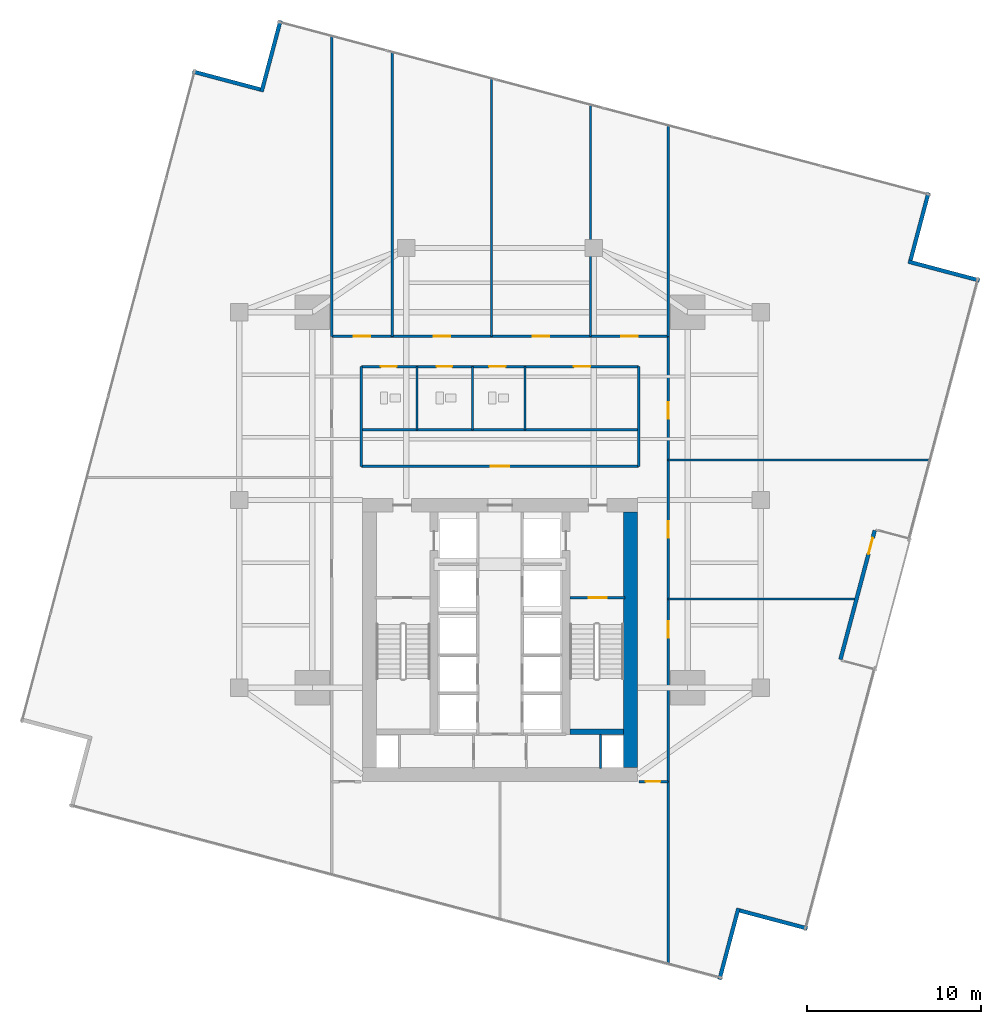
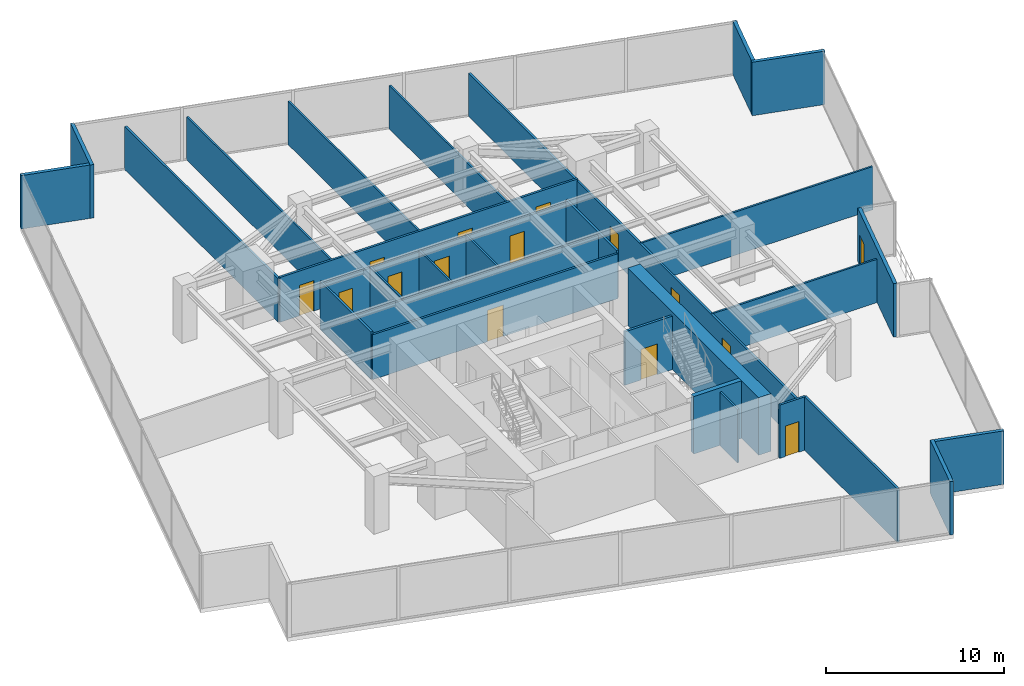
# One storey, part 24 of 27: 30 walls, 15 doors, 15 openings.
"""IFC4 building model written with IfcOpenShell, lengths in metres."""

from ifc_helpers import new_model, si_unit, direction, frame, frame_2d, origin, place, context, subcontext, project, spatial, rectangle, extrude, material, layer, layer_set, type_object, element, fill, save


model = new_model("IFC4")

# Units and contexts
model_context = context("Model", 3, precision=1e-05, world=origin(), true_north=direction((0.0, 1.0)))
body_context = subcontext(model_context, "Body", "Model", "MODEL_VIEW")
ifc_project = project(units=[si_unit("LENGTHUNIT", "METRE"), si_unit("AREAUNIT", "SQUARE_METRE"), si_unit("VOLUMEUNIT", "CUBIC_METRE"), si_unit("PLANEANGLEUNIT", "RADIAN"), si_unit("MASSUNIT", "GRAM", prefix="KILO")], contexts=[model_context])

# Site, building, storey
site_placement = place(None, origin())
site = spatial("IfcSite", under=ifc_project, at=site_placement, CompositionType="ELEMENT")
building_placement = place(site_placement, origin())
building = spatial("IfcBuilding", under=site, at=building_placement, Name="Krantzveldt Concourse Tower", CompositionType="ELEMENT")
storey_placement = place(building_placement, frame((0.0, 0.0, 105.85009765625)))
storey = spatial("IfcBuildingStorey", under=building, at=storey_placement, Name="L25", CompositionType="ELEMENT", Elevation=105.85009765625)

# Walls
ifc_material_1 = material(Name="Anodised aluminium 6063-T6", Category="aluminium")
ifc_layer_1 = layer(ifc_material_1, 0.219970703125, Name="Anodised aluminium 6063-T6", Category="aluminium")
ifc_layer_set_1 = layer_set([ifc_layer_1], Name="Anodised aluminium 6063-T6 (WL-EXT-NOTCH220)")
wall_type_1 = type_object("IfcWallType", Name="WL-EXT-NOTCH220", PredefinedType="ELEMENTEDWALL", material=ifc_layer_set_1)
wall_1_placement = place(storey_placement, frame((22.2021484375, 50.32373046875, 0.0), z_axis=(0.0, 0.0, 1.0), x_axis=(-0.966492181189, 0.256696053144, 0.0)))
element("IfcWall", 1, at=wall_1_placement, inside=storey, type_object=wall_type_1, Name="EW-L25-NCH00", PredefinedType="ELEMENTEDWALL", context=body_context, shape_type="SweptSolid", body=[
    extrude(rectangle(XDim=4.02490234375, YDim=0.219970703125, at=frame_2d((2.012451171875, 0.0))), origin(), (0.0, 0.0, 1.0), 3.669921875),
])
wall_2_placement = place(storey_placement, frame((48.630126953125, -0.891845703125, 0.0), z_axis=(0.0, 0.0, 1.0), x_axis=(0.256692391399, 0.966493153725, 0.0)))
element("IfcWall", 2, at=wall_2_placement, inside=storey, type_object=wall_type_1, Name="EW-L25-NCH05", PredefinedType="ELEMENTEDWALL", context=body_context, shape_type="SweptSolid", body=[
    extrude(rectangle(XDim=4.244873046875, YDim=0.219970703125, at=frame_2d((2.12255859375, 0.0))), origin(), (0.0, 0.0, 1.0), 3.669921875),
])
wall_3_placement = place(storey_placement, frame((49.7978515625, 3.076171875, 0.0), z_axis=(0.0, 0.0, 1.0), x_axis=(0.966492181189, -0.256696053144, 0.0)))
element("IfcWall", 3, at=wall_3_placement, inside=storey, type_object=wall_type_1, Name="EW-L25-NCH06", PredefinedType="ELEMENTEDWALL", context=body_context, shape_type="SweptSolid", body=[
    extrude(rectangle(XDim=4.02490234375, YDim=0.219970703125, at=frame_2d((2.012451171875, 0.0))), origin(), (0.0, 0.0, 1.0), 3.669921875),
])

# Wall, opening, door
wall_4_placement = place(storey_placement, frame((57.5634765625, 24.95068359375, 0.0), z_axis=(0.0, 0.0, 1.0), x_axis=(-0.256717978083, -0.966486357756, 0.0)))
wall_4 = element("IfcWall", 4, at=wall_4_placement, inside=storey, type_object=wall_type_1, Name="EW-L25-TSLOT", PredefinedType="ELEMENTEDWALL", context=body_context, shape_type="SweptSolid", body=[
    extrude(rectangle(XDim=7.68994140625, YDim=0.219970703125, at=frame_2d((3.844970703125, 0.0))), origin(), (0.0, 0.0, 1.0), 3.669921875),
])
opening_1_placement = place(wall_4_placement, frame((0.449951171875, 0.0, 0.0)))
opening_1 = element("IfcOpeningElement", 5, at=opening_1_placement, cuts=wall_4, Name="Opening D-EX95", PredefinedType="OPENING", context=body_context, shape_type="SweptSolid", body=[
    extrude(rectangle(XDim=0.949951171875, YDim=2.10009765625, at=frame_2d((0.47509765625, 1.050048828125))), frame((0.0, 0.1201171875, 0.0), z_axis=(0.0, -1.0, 0.0), x_axis=(1.0, 0.0, 0.0)), (0.0, 0.0, 1.0), 0.239990234375),
])
door_type_1 = type_object("IfcDoorType", Name="DR-EXT-950", OperationType="SINGLE_SWING_LEFT", PredefinedType="DOOR", material=ifc_material_1)
door_1_placement = place(opening_1_placement, origin())
door_1 = element("IfcDoor", 6, at=door_1_placement, inside=storey, type_object=door_type_1, Name="DR-L25-TERR", OperationType="SINGLE_SWING_LEFT", OverallHeight=2.10009765625, OverallWidth=0.949951171875, PredefinedType="DOOR", context=body_context, shape_type="SweptSolid", body=[
    extrude(rectangle(XDim=0.949951171875, YDim=2.10009765625, at=frame_2d((0.47509765625, 1.050048828125))), frame((0.0, 0.02490234375, 0.0), z_axis=(0.0, -1.0, 0.0), x_axis=(1.0, 0.0, 0.0)), (0.0, 0.0, 1.0), 0.050048828125),
])
fill(opening_1, door_1)

# Walls
wall_5_placement = place(storey_placement, frame((63.592041015625, 39.330078125, 0.0), z_axis=(0.0, 0.0, 1.0), x_axis=(-0.966482674278, 0.256731845164, 0.0)))
element("IfcWall", 7, at=wall_5_placement, inside=storey, type_object=wall_type_1, Name="EW-L25-NCH12", PredefinedType="ELEMENTEDWALL", context=body_context, shape_type="SweptSolid", body=[
    extrude(rectangle(XDim=4.2451171875, YDim=0.219970703125, at=frame_2d((2.12255859375, 0.0))), origin(), (0.0, 0.0, 1.0), 3.669921875),
])
wall_6_placement = place(storey_placement, frame((59.623779296875, 40.497802734375, 0.0), z_axis=(0.0, 0.0, 1.0), x_axis=(0.256696053144, 0.966492181189, 0.0)))
element("IfcWall", 8, at=wall_6_placement, inside=storey, type_object=wall_type_1, Name="EW-L25-NCH13", PredefinedType="ELEMENTEDWALL", context=body_context, shape_type="SweptSolid", body=[
    extrude(rectangle(XDim=4.02490234375, YDim=0.219970703125, at=frame_2d((2.012451171875, 0.0))), origin(), (0.0, 0.0, 1.0), 3.669921875),
])
wall_7_placement = place(storey_placement, frame((23.369873046875, 54.2919921875, 0.0), z_axis=(0.0, 0.0, 1.0), x_axis=(-0.256678123022, -0.966496943173, 0.0)))
element("IfcWall", 9, at=wall_7_placement, inside=storey, type_object=wall_type_1, Name="EW-L25-NCH15", PredefinedType="ELEMENTEDWALL", context=body_context, shape_type="SweptSolid", body=[
    extrude(rectangle(XDim=4.2451171875, YDim=0.219970703125, at=frame_2d((2.12255859375, 0.0))), origin(), (0.0, 0.0, 1.0), 3.669921875),
])
ifc_material_2 = material(Name="Fire-rated gypsum plasterboard on steel stud", Category="steel")
ifc_layer_2 = layer(ifc_material_2, 0.1201171875, Name="Fire-rated gypsum plasterboard on steel stud", Category="steel")
ifc_layer_set_2 = layer_set([ifc_layer_2], Name="Fire-rated gypsum plasterboard on steel stud (WL-PART-120)")
wall_type_2 = type_object("IfcWallType", Name="WL-PART-120", PredefinedType="PARTITIONING", material=ifc_layer_set_2)
wall_8_placement = place(storey_placement, frame((28.02001953125, 30.739990234375, 0.0), z_axis=(0.0, 0.0, 1.0), x_axis=(1.0, 0.0, 0.0)))
element("IfcWall", 10, at=wall_8_placement, inside=storey, type_object=wall_type_2, Name="WP-L25-ISLM", PredefinedType="PARTITIONING", context=body_context, shape_type="SweptSolid", body=[
    extrude(rectangle(XDim=15.9599609375, YDim=0.1201171875, at=frame_2d((7.97998046875, 0.0))), origin(), (0.0, 0.0, 1.0), 3.079833984375),
])
for number, where, z_axis, x_axis, name in (
    (11, (31.219970703125, 30.739990234375, 0.0), (0.0, 0.0, 1.0), (0.0, 1.0, 0.0), "WP-L25-WCD1"),
    (12, (34.419921875, 30.739990234375, 0.0), (0.0, 0.0, 1.0), (0.0, 1.0, 0.0), "WP-L25-WCD2"),
    (13, (37.449951171875, 30.739990234375, 0.0), (0.0, 0.0, 1.0), (0.0, 1.0, 0.0), "WP-L25-WCD3"),
):
    element("IfcWall", number, at=place(storey_placement, frame(where, z_axis=z_axis, x_axis=x_axis)), inside=storey, type_object=wall_type_2, Name=name, PredefinedType="PARTITIONING", context=body_context, shape_type="SweptSolid", body=[
        extrude(rectangle(XDim=3.639892578125, YDim=0.1201171875, at=frame_2d((1.81982421875, 0.0))), origin(), (0.0, 0.0, 1.0), 3.169921875),
    ])
wall_9_placement = place(storey_placement, frame((29.800048828125, 36.1201171875, 0.0), z_axis=(0.0, 0.0, 1.0), x_axis=(0.0, 1.0, 0.0)))
element("IfcWall", 14, at=wall_9_placement, inside=storey, type_object=wall_type_2, Name="WP-L25-ND1", PredefinedType="PARTITIONING", context=body_context, shape_type="SweptSolid", body=[
    extrude(rectangle(XDim=16.344970703125, YDim=0.1201171875, at=frame_2d((8.17236328125, 0.0))), origin(), (0.0, 0.0, 1.0), 2.969970703125),
])
wall_10_placement = place(storey_placement, frame((35.5, 36.1201171875, 0.0), z_axis=(0.0, 0.0, 1.0), x_axis=(0.0, 1.0, 0.0)))
element("IfcWall", 15, at=wall_10_placement, inside=storey, type_object=wall_type_2, Name="WP-L25-ND2", PredefinedType="PARTITIONING", context=body_context, shape_type="SweptSolid", body=[
    extrude(rectangle(XDim=14.8310546875, YDim=0.1201171875, at=frame_2d((7.41552734375, 0.0))), origin(), (0.0, 0.0, 1.0), 2.969970703125),
])
wall_11_placement = place(storey_placement, frame((41.199951171875, 36.1201171875, 0.0), z_axis=(0.0, 0.0, 1.0), x_axis=(0.0, 1.0, 0.0)))
element("IfcWall", 16, at=wall_11_placement, inside=storey, type_object=wall_type_2, Name="WP-L25-ND3", PredefinedType="PARTITIONING", context=body_context, shape_type="SweptSolid", body=[
    extrude(rectangle(XDim=13.31689453125, YDim=0.1201171875, at=frame_2d((6.658447265625, 0.0))), origin(), (0.0, 0.0, 1.0), 2.969970703125),
])
wall_12_placement = place(storey_placement, frame((45.679931640625, 21.0, 0.0), z_axis=(0.0, 0.0, 1.0), x_axis=(1.0, 0.0, 0.0)))
element("IfcWall", 17, at=wall_12_placement, inside=storey, type_object=wall_type_2, Name="WP-L25-ED1", PredefinedType="PARTITIONING", context=body_context, shape_type="SweptSolid", body=[
    extrude(rectangle(XDim=10.71533203125, YDim=0.1201171875, at=frame_2d((5.357666015625, 0.0))), origin(), (0.0, 0.0, 1.0), 2.969970703125),
])
wall_13_placement = place(storey_placement, frame((45.679931640625, 29.0, 0.0), z_axis=(0.0, 0.0, 1.0), x_axis=(1.0, 0.0, 0.0)))
element("IfcWall", 18, at=wall_13_placement, inside=storey, type_object=wall_type_2, Name="WP-L25-ED2", PredefinedType="PARTITIONING", context=body_context, shape_type="SweptSolid", body=[
    extrude(rectangle(XDim=15.04931640625, YDim=0.1201171875, at=frame_2d((7.524658203125, 0.0))), origin(), (0.0, 0.0, 1.0), 2.969970703125),
])

# Wall, opening, door
ifc_layer_3 = layer(ifc_material_2, 0.139892578125, Name="Fire-rated gypsum plasterboard on steel stud", Category="steel")
ifc_layer_set_3 = layer_set([ifc_layer_3], Name="Fire-rated gypsum plasterboard on steel stud (WL-PART-140)")
wall_type_3 = type_object("IfcWallType", Name="WL-PART-140", PredefinedType="PARTITIONING", material=ifc_layer_set_3)
wall_14_placement = place(storey_placement, frame((28.02001953125, 28.639892578125, 0.0), z_axis=(0.0, 0.0, 1.0), x_axis=(1.0, 0.0, 0.0)))
wall_14 = element("IfcWall", 19, at=wall_14_placement, inside=storey, type_object=wall_type_3, Name="WP-L25-ISLS", PredefinedType="PARTITIONING", context=body_context, shape_type="SweptSolid", body=[
    extrude(rectangle(XDim=15.9599609375, YDim=0.139892578125, at=frame_2d((7.97998046875, 0.0))), origin(), (0.0, 0.0, 1.0), 3.079833984375),
])
opening_2_placement = place(wall_14_placement, frame((7.455078125, 0.0, 0.0)))
opening_2 = element("IfcOpeningElement", 20, at=opening_2_placement, cuts=wall_14, Name="Opening D-IN105", PredefinedType="OPENING", context=body_context, shape_type="SweptSolid", body=[
    extrude(rectangle(XDim=1.050048828125, YDim=2.14990234375, at=frame_2d((0.52490234375, 1.074951171875))), frame((0.0, 0.080078125, 0.0), z_axis=(0.0, -1.0, 0.0), x_axis=(1.0, 0.0, 0.0)), (0.0, 0.0, 1.0), 0.159912109375),
])
ifc_material_3 = material(Name="Hardwood timber", Category="wood")
door_type_2 = type_object("IfcDoorType", Name="DR-INT-1050", OperationType="SINGLE_SWING_LEFT", PredefinedType="DOOR", material=ifc_material_3)
door_2_placement = place(opening_2_placement, origin())
door_2 = element("IfcDoor", 21, at=door_2_placement, inside=storey, type_object=door_type_2, Name="DR-L25-MIDB", OperationType="SINGLE_SWING_LEFT", OverallHeight=2.14990234375, OverallWidth=1.050048828125, PredefinedType="DOOR", context=body_context, shape_type="SweptSolid", body=[
    extrude(rectangle(XDim=1.050048828125, YDim=2.14990234375, at=frame_2d((0.52490234375, 1.074951171875))), frame((0.0, 0.02490234375, 0.0), z_axis=(0.0, -1.0, 0.0), x_axis=(1.0, 0.0, 0.0)), (0.0, 0.0, 1.0), 0.050048828125),
])
fill(opening_2, door_2)

# Wall, openings, doors
wall_15_placement = place(storey_placement, frame((28.02001953125, 34.3798828125, 0.0), z_axis=(0.0, 0.0, 1.0), x_axis=(1.0, 0.0, 0.0)))
wall_15 = element("IfcWall", 22, at=wall_15_placement, inside=storey, type_object=wall_type_3, Name="WP-L25-ISLN", PredefinedType="PARTITIONING", context=body_context, shape_type="SweptSolid", body=[
    extrude(rectangle(XDim=15.9599609375, YDim=0.139892578125, at=frame_2d((7.97998046875, 0.0))), origin(), (0.0, 0.0, 1.0), 3.079833984375),
])
opening_3_placement = place(wall_15_placement, frame((1.1298828125, 0.0, 0.0)))
opening_3 = element("IfcOpeningElement", 23, at=opening_3_placement, cuts=wall_15, Name="Opening D-IN090", PredefinedType="OPENING", context=body_context, shape_type="SweptSolid", body=[
    extrude(rectangle(XDim=0.89990234375, YDim=2.10009765625, at=frame_2d((0.449951171875, 1.050048828125))), frame((0.0, 0.080078125, 0.0), z_axis=(0.0, -1.0, 0.0), x_axis=(1.0, 0.0, 0.0)), (0.0, 0.0, 1.0), 0.159912109375),
])
opening_4_placement = place(wall_15_placement, frame((4.330078125, 0.0, 0.0)))
opening_4 = element("IfcOpeningElement", 24, at=opening_4_placement, cuts=wall_15, Name="Opening D-IN090", PredefinedType="OPENING", context=body_context, shape_type="SweptSolid", body=[
    extrude(rectangle(XDim=0.89990234375, YDim=2.10009765625, at=frame_2d((0.449951171875, 1.050048828125))), frame((0.0, 0.080078125, 0.0), z_axis=(0.0, -1.0, 0.0), x_axis=(1.0, 0.0, 0.0)), (0.0, 0.0, 1.0), 0.159912109375),
])
opening_5_placement = place(wall_15_placement, frame((7.35498046875, 0.0, 0.0)))
opening_5 = element("IfcOpeningElement", 25, at=opening_5_placement, cuts=wall_15, Name="Opening D-IN095", PredefinedType="OPENING", context=body_context, shape_type="SweptSolid", body=[
    extrude(rectangle(XDim=0.949951171875, YDim=2.10009765625, at=frame_2d((0.47509765625, 1.050048828125))), frame((0.0, 0.080078125, 0.0), z_axis=(0.0, -1.0, 0.0), x_axis=(1.0, 0.0, 0.0)), (0.0, 0.0, 1.0), 0.159912109375),
])
opening_6_placement = place(wall_15_placement, frame((12.22998046875, 0.0, 0.0)))
opening_6 = element("IfcOpeningElement", 26, at=opening_6_placement, cuts=wall_15, Name="Opening D-IN095", PredefinedType="OPENING", context=body_context, shape_type="SweptSolid", body=[
    extrude(rectangle(XDim=0.949951171875, YDim=2.10009765625, at=frame_2d((0.47509765625, 1.050048828125))), frame((0.0, 0.080078125, 0.0), z_axis=(0.0, -1.0, 0.0), x_axis=(1.0, 0.0, 0.0)), (0.0, 0.0, 1.0), 0.159912109375),
])
door_type_3 = type_object("IfcDoorType", Name="DR-INT-900", OperationType="SINGLE_SWING_LEFT", PredefinedType="DOOR", material=ifc_material_3)
door_3_placement = place(opening_3_placement, origin())
door_3 = element("IfcDoor", 27, at=door_3_placement, inside=storey, type_object=door_type_3, Name="DR-L25-WCM", OperationType="SINGLE_SWING_LEFT", OverallHeight=2.10009765625, OverallWidth=0.89990234375, PredefinedType="DOOR", context=body_context, shape_type="SweptSolid", body=[
    extrude(rectangle(XDim=0.89990234375, YDim=2.10009765625, at=frame_2d((0.449951171875, 1.050048828125))), frame((0.0, 0.02490234375, 0.0), z_axis=(0.0, -1.0, 0.0), x_axis=(1.0, 0.0, 0.0)), (0.0, 0.0, 1.0), 0.050048828125),
])
fill(opening_3, door_3)
door_4_placement = place(opening_4_placement, origin())
door_4 = element("IfcDoor", 28, at=door_4_placement, inside=storey, type_object=door_type_3, Name="DR-L25-WCF", OperationType="SINGLE_SWING_RIGHT", OverallHeight=2.10009765625, OverallWidth=0.89990234375, PredefinedType="DOOR", context=body_context, shape_type="SweptSolid", body=[
    extrude(rectangle(XDim=0.89990234375, YDim=2.10009765625, at=frame_2d((0.449951171875, 1.050048828125))), frame((0.0, 0.02490234375, 0.0), z_axis=(0.0, -1.0, 0.0), x_axis=(1.0, 0.0, 0.0)), (0.0, 0.0, 1.0), 0.050048828125),
])
fill(opening_4, door_4)
door_type_4 = type_object("IfcDoorType", Name="DR-INT-950", OperationType="SINGLE_SWING_LEFT", PredefinedType="DOOR", material=ifc_material_3)
door_5_placement = place(opening_5_placement, origin())
door_5 = element("IfcDoor", 29, at=door_5_placement, inside=storey, type_object=door_type_4, Name="DR-L25-WCA", OperationType="SINGLE_SWING_LEFT", OverallHeight=2.10009765625, OverallWidth=0.949951171875, PredefinedType="DOOR", context=body_context, shape_type="SweptSolid", body=[
    extrude(rectangle(XDim=0.949951171875, YDim=2.10009765625, at=frame_2d((0.47509765625, 1.050048828125))), frame((0.0, 0.02490234375, 0.0), z_axis=(0.0, -1.0, 0.0), x_axis=(1.0, 0.0, 0.0)), (0.0, 0.0, 1.0), 0.050048828125),
])
fill(opening_5, door_5)
door_6_placement = place(opening_6_placement, origin())
door_6 = element("IfcDoor", 30, at=door_6_placement, inside=storey, type_object=door_type_4, Name="DR-L25-PNT", OperationType="SINGLE_SWING_RIGHT", OverallHeight=2.10009765625, OverallWidth=0.949951171875, PredefinedType="DOOR", context=body_context, shape_type="SweptSolid", body=[
    extrude(rectangle(XDim=0.949951171875, YDim=2.10009765625, at=frame_2d((0.47509765625, 1.050048828125))), frame((0.0, 0.02490234375, 0.0), z_axis=(0.0, -1.0, 0.0), x_axis=(1.0, 0.0, 0.0)), (0.0, 0.0, 1.0), 0.050048828125),
])
fill(opening_6, door_6)

# Walls
for number, where, z_axis, x_axis, name in (
    (31, (28.02001953125, 28.639892578125, 0.0), (0.0, 0.0, 1.0), (0.0, 1.0, 0.0), "WP-L25-ISLW"),
    (32, (43.97998046875, 28.639892578125, 0.0), (0.0, 0.0, 1.0), (0.0, 1.0, 0.0), "WP-L25-ISLE"),
):
    element("IfcWall", number, at=place(storey_placement, frame(where, z_axis=z_axis, x_axis=x_axis)), inside=storey, type_object=wall_type_3, Name=name, PredefinedType="PARTITIONING", context=body_context, shape_type="SweptSolid", body=[
        extrude(rectangle(XDim=5.739990234375, YDim=0.139892578125, at=frame_2d((2.8701171875, 0.0))), origin(), (0.0, 0.0, 1.0), 3.27001953125),
    ])

# Wall, openings, doors
wall_16_placement = place(storey_placement, frame((26.320068359375, 36.1201171875, 0.0), z_axis=(0.0, 0.0, 1.0), x_axis=(1.0, 0.0, 0.0)))
wall_16 = element("IfcWall", 33, at=wall_16_placement, inside=storey, type_object=wall_type_3, Name="WP-L25-CTOP", PredefinedType="PARTITIONING", context=body_context, shape_type="SweptSolid", body=[
    extrude(rectangle(XDim=19.35986328125, YDim=0.139892578125, at=frame_2d((9.679931640625, 0.0))), origin(), (0.0, 0.0, 1.0), 3.079833984375),
])
opening_7_placement = place(wall_16_placement, frame((1.264892578125, 0.0, 0.0)))
opening_7 = element("IfcOpeningElement", 34, at=opening_7_placement, cuts=wall_16, Name="Opening D-IN095", PredefinedType="OPENING", context=body_context, shape_type="SweptSolid", body=[
    extrude(rectangle(XDim=0.949951171875, YDim=2.10009765625, at=frame_2d((0.47509765625, 1.050048828125))), frame((0.0, 0.080078125, 0.0), z_axis=(0.0, -1.0, 0.0), x_axis=(1.0, 0.0, 0.0)), (0.0, 0.0, 1.0), 0.159912109375),
])
opening_8_placement = place(wall_16_placement, frame((5.85498046875, 0.0, 0.0)))
opening_8 = element("IfcOpeningElement", 35, at=opening_8_placement, cuts=wall_16, Name="Opening D-IN095", PredefinedType="OPENING", context=body_context, shape_type="SweptSolid", body=[
    extrude(rectangle(XDim=0.949951171875, YDim=2.10009765625, at=frame_2d((0.47509765625, 1.050048828125))), frame((0.0, 0.080078125, 0.0), z_axis=(0.0, -1.0, 0.0), x_axis=(1.0, 0.0, 0.0)), (0.0, 0.0, 1.0), 0.159912109375),
])
opening_9_placement = place(wall_16_placement, frame((11.554931640625, 0.0, 0.0)))
opening_9 = element("IfcOpeningElement", 36, at=opening_9_placement, cuts=wall_16, Name="Opening D-IN095", PredefinedType="OPENING", context=body_context, shape_type="SweptSolid", body=[
    extrude(rectangle(XDim=0.949951171875, YDim=2.10009765625, at=frame_2d((0.47509765625, 1.050048828125))), frame((0.0, 0.080078125, 0.0), z_axis=(0.0, -1.0, 0.0), x_axis=(1.0, 0.0, 0.0)), (0.0, 0.0, 1.0), 0.159912109375),
])
opening_10_placement = place(wall_16_placement, frame((16.64501953125, 0.0, 0.0)))
opening_10 = element("IfcOpeningElement", 37, at=opening_10_placement, cuts=wall_16, Name="Opening D-IN095", PredefinedType="OPENING", context=body_context, shape_type="SweptSolid", body=[
    extrude(rectangle(XDim=0.949951171875, YDim=2.10009765625, at=frame_2d((0.47509765625, 1.050048828125))), frame((0.0, 0.080078125, 0.0), z_axis=(0.0, -1.0, 0.0), x_axis=(1.0, 0.0, 0.0)), (0.0, 0.0, 1.0), 0.159912109375),
])
door_7_placement = place(opening_7_placement, origin())
door_7 = element("IfcDoor", 38, at=door_7_placement, inside=storey, type_object=door_type_4, Name="DR-L25-NR1", OperationType="SINGLE_SWING_LEFT", OverallHeight=2.10009765625, OverallWidth=0.949951171875, PredefinedType="DOOR", context=body_context, shape_type="SweptSolid", body=[
    extrude(rectangle(XDim=0.949951171875, YDim=2.10009765625, at=frame_2d((0.47509765625, 1.050048828125))), frame((0.0, 0.02490234375, 0.0), z_axis=(0.0, -1.0, 0.0), x_axis=(1.0, 0.0, 0.0)), (0.0, 0.0, 1.0), 0.050048828125),
])
fill(opening_7, door_7)
door_8_placement = place(opening_8_placement, origin())
door_8 = element("IfcDoor", 39, at=door_8_placement, inside=storey, type_object=door_type_4, Name="DR-L25-NR2", OperationType="SINGLE_SWING_LEFT", OverallHeight=2.10009765625, OverallWidth=0.949951171875, PredefinedType="DOOR", context=body_context, shape_type="SweptSolid", body=[
    extrude(rectangle(XDim=0.949951171875, YDim=2.10009765625, at=frame_2d((0.47509765625, 1.050048828125))), frame((0.0, 0.02490234375, 0.0), z_axis=(0.0, -1.0, 0.0), x_axis=(1.0, 0.0, 0.0)), (0.0, 0.0, 1.0), 0.050048828125),
])
fill(opening_8, door_8)
door_9_placement = place(opening_9_placement, origin())
door_9 = element("IfcDoor", 40, at=door_9_placement, inside=storey, type_object=door_type_4, Name="DR-L25-NR3", OperationType="SINGLE_SWING_LEFT", OverallHeight=2.10009765625, OverallWidth=0.949951171875, PredefinedType="DOOR", context=body_context, shape_type="SweptSolid", body=[
    extrude(rectangle(XDim=0.949951171875, YDim=2.10009765625, at=frame_2d((0.47509765625, 1.050048828125))), frame((0.0, 0.02490234375, 0.0), z_axis=(0.0, -1.0, 0.0), x_axis=(1.0, 0.0, 0.0)), (0.0, 0.0, 1.0), 0.050048828125),
])
fill(opening_9, door_9)
door_10_placement = place(opening_10_placement, origin())
door_10 = element("IfcDoor", 41, at=door_10_placement, inside=storey, type_object=door_type_4, Name="DR-L25-NR4", OperationType="SINGLE_SWING_LEFT", OverallHeight=2.10009765625, OverallWidth=0.949951171875, PredefinedType="DOOR", context=body_context, shape_type="SweptSolid", body=[
    extrude(rectangle(XDim=0.949951171875, YDim=2.10009765625, at=frame_2d((0.47509765625, 1.050048828125))), frame((0.0, 0.02490234375, 0.0), z_axis=(0.0, -1.0, 0.0), x_axis=(1.0, 0.0, 0.0)), (0.0, 0.0, 1.0), 0.050048828125),
])
fill(opening_10, door_10)

wall_17_placement = place(storey_placement, frame((45.679931640625, 10.5, 0.0), z_axis=(0.0, 0.0, 1.0), x_axis=(0.0, 1.0, 0.0)))
wall_17 = element("IfcWall", 42, at=wall_17_placement, inside=storey, type_object=wall_type_3, Name="WP-L25-CEAST", PredefinedType="PARTITIONING", context=body_context, shape_type="SweptSolid", body=[
    extrude(rectangle(XDim=25.6201171875, YDim=0.139892578125, at=frame_2d((12.81005859375, 0.0))), origin(), (0.0, 0.0, 1.0), 2.969970703125),
])
opening_11_placement = place(wall_17_placement, frame((8.27490234375, 0.0, 0.0)))
opening_11 = element("IfcOpeningElement", 43, at=opening_11_placement, cuts=wall_17, Name="Opening D-IN095", PredefinedType="OPENING", context=body_context, shape_type="SweptSolid", body=[
    extrude(rectangle(XDim=0.949951171875, YDim=2.10009765625, at=frame_2d((0.47509765625, 1.050048828125))), frame((0.0, 0.080078125, 0.0), z_axis=(0.0, -1.0, 0.0), x_axis=(1.0, 0.0, 0.0)), (0.0, 0.0, 1.0), 0.159912109375),
])
opening_12_placement = place(wall_17_placement, frame((14.02490234375, 0.0, 0.0)))
opening_12 = element("IfcOpeningElement", 44, at=opening_12_placement, cuts=wall_17, Name="Opening D-IN095", PredefinedType="OPENING", context=body_context, shape_type="SweptSolid", body=[
    extrude(rectangle(XDim=0.949951171875, YDim=2.10009765625, at=frame_2d((0.47509765625, 1.050048828125))), frame((0.0, 0.080078125, 0.0), z_axis=(0.0, -1.0, 0.0), x_axis=(1.0, 0.0, 0.0)), (0.0, 0.0, 1.0), 0.159912109375),
])
opening_13_placement = place(wall_17_placement, frame((20.875, 0.0, 0.0)))
opening_13 = element("IfcOpeningElement", 45, at=opening_13_placement, cuts=wall_17, Name="Opening D-IN095", PredefinedType="OPENING", context=body_context, shape_type="SweptSolid", body=[
    extrude(rectangle(XDim=0.949951171875, YDim=2.10009765625, at=frame_2d((0.47509765625, 1.050048828125))), frame((0.0, 0.080078125, 0.0), z_axis=(0.0, -1.0, 0.0), x_axis=(1.0, 0.0, 0.0)), (0.0, 0.0, 1.0), 0.159912109375),
])
door_11_placement = place(opening_11_placement, origin())
door_11 = element("IfcDoor", 46, at=door_11_placement, inside=storey, type_object=door_type_4, Name="DR-L25-ER1", OperationType="SINGLE_SWING_LEFT", OverallHeight=2.10009765625, OverallWidth=0.949951171875, PredefinedType="DOOR", context=body_context, shape_type="SweptSolid", body=[
    extrude(rectangle(XDim=0.949951171875, YDim=2.10009765625, at=frame_2d((0.47509765625, 1.050048828125))), frame((0.0, 0.02490234375, 0.0), z_axis=(0.0, -1.0, 0.0), x_axis=(1.0, 0.0, 0.0)), (0.0, 0.0, 1.0), 0.050048828125),
])
fill(opening_11, door_11)
door_12_placement = place(opening_12_placement, origin())
door_12 = element("IfcDoor", 47, at=door_12_placement, inside=storey, type_object=door_type_4, Name="DR-L25-ER2", OperationType="SINGLE_SWING_LEFT", OverallHeight=2.10009765625, OverallWidth=0.949951171875, PredefinedType="DOOR", context=body_context, shape_type="SweptSolid", body=[
    extrude(rectangle(XDim=0.949951171875, YDim=2.10009765625, at=frame_2d((0.47509765625, 1.050048828125))), frame((0.0, 0.02490234375, 0.0), z_axis=(0.0, -1.0, 0.0), x_axis=(1.0, 0.0, 0.0)), (0.0, 0.0, 1.0), 0.050048828125),
])
fill(opening_12, door_12)
door_13_placement = place(opening_13_placement, origin())
door_13 = element("IfcDoor", 48, at=door_13_placement, inside=storey, type_object=door_type_4, Name="DR-L25-ER3", OperationType="SINGLE_SWING_LEFT", OverallHeight=2.10009765625, OverallWidth=0.949951171875, PredefinedType="DOOR", context=body_context, shape_type="SweptSolid", body=[
    extrude(rectangle(XDim=0.949951171875, YDim=2.10009765625, at=frame_2d((0.47509765625, 1.050048828125))), frame((0.0, 0.02490234375, 0.0), z_axis=(0.0, -1.0, 0.0), x_axis=(1.0, 0.0, 0.0)), (0.0, 0.0, 1.0), 0.050048828125),
])
fill(opening_13, door_13)

# Wall, opening, door
wall_18_placement = place(storey_placement, frame((44.0, 10.5, 0.0), z_axis=(0.0, 0.0, 1.0), x_axis=(1.0, 0.0, 0.0)))
wall_18 = element("IfcWall", 49, at=wall_18_placement, inside=storey, type_object=wall_type_3, Name="WP-L25-CEBOT", PredefinedType="PARTITIONING", context=body_context, shape_type="SweptSolid", body=[
    extrude(rectangle(XDim=1.679931640625, YDim=0.139892578125, at=frame_2d((0.83984375, 0.0))), origin(), (0.0, 0.0, 1.0), 3.669921875),
])
opening_14_placement = place(wall_18_placement, frame((0.385009765625, 0.0, 0.0)))
opening_14 = element("IfcOpeningElement", 50, at=opening_14_placement, cuts=wall_18, Name="Opening D-IN085", PredefinedType="OPENING", context=body_context, shape_type="SweptSolid", body=[
    extrude(rectangle(XDim=0.85009765625, YDim=2.10009765625, at=frame_2d((0.425048828125, 1.050048828125))), frame((0.0, 0.080078125, 0.0), z_axis=(0.0, -1.0, 0.0), x_axis=(1.0, 0.0, 0.0)), (0.0, 0.0, 1.0), 0.159912109375),
])
door_type_5 = type_object("IfcDoorType", Name="DR-INT-850", OperationType="SINGLE_SWING_LEFT", PredefinedType="DOOR", material=ifc_material_3)
door_14_placement = place(opening_14_placement, origin())
door_14 = element("IfcDoor", 51, at=door_14_placement, inside=storey, type_object=door_type_5, Name="DR-L25-SR2", OperationType="SINGLE_SWING_LEFT", OverallHeight=2.10009765625, OverallWidth=0.85009765625, PredefinedType="DOOR", context=body_context, shape_type="SweptSolid", body=[
    extrude(rectangle(XDim=0.85009765625, YDim=2.10009765625, at=frame_2d((0.425048828125, 1.050048828125))), frame((0.0, 0.02490234375, 0.0), z_axis=(0.0, -1.0, 0.0), x_axis=(1.0, 0.0, 0.0)), (0.0, 0.0, 1.0), 0.050048828125),
])
fill(opening_14, door_14)

# Walls
wall_19_placement = place(storey_placement, frame((26.320068359375, 36.1201171875, 0.0), z_axis=(0.0, 0.0, 1.0), x_axis=(0.0, 1.0, 0.0)))
element("IfcWall", 52, at=wall_19_placement, inside=storey, type_object=wall_type_3, Name="WP-L25-NWL", PredefinedType="PARTITIONING", context=body_context, shape_type="SweptSolid", body=[
    extrude(rectangle(XDim=17.269287109375, YDim=0.139892578125, at=frame_2d((8.634765625, 0.0))), origin(), (0.0, 0.0, 1.0), 2.969970703125),
])
wall_20_placement = place(storey_placement, frame((45.679931640625, 36.1201171875, 0.0), z_axis=(0.0, 0.0, 1.0), x_axis=(0.0, 1.0, 0.0)))
element("IfcWall", 53, at=wall_20_placement, inside=storey, type_object=wall_type_3, Name="WP-L25-NER", PredefinedType="PARTITIONING", context=body_context, shape_type="SweptSolid", body=[
    extrude(rectangle(XDim=12.126953125, YDim=0.139892578125, at=frame_2d((6.0634765625, 0.0))), origin(), (0.0, 0.0, 1.0), 2.969970703125),
])
wall_21_placement = place(storey_placement, frame((45.679931640625, 0.010498046875, 0.0), z_axis=(0.0, 0.0, 1.0), x_axis=(0.0, 1.0, 0.0)))
element("IfcWall", 54, at=wall_21_placement, inside=storey, type_object=wall_type_3, Name="WP-L25-SER", PredefinedType="PARTITIONING", context=body_context, shape_type="SweptSolid", body=[
    extrude(rectangle(XDim=10.489501953125, YDim=0.139892578125, at=frame_2d((5.24462890625, 0.0))), origin(), (0.0, 0.0, 1.0), 3.669921875),
])
ifc_layer_4 = layer(ifc_material_2, 0.139892578125, Name="Fire-rated gypsum plasterboard on steel stud", Category="steel")
ifc_layer_set_4 = layer_set([ifc_layer_4], Name="Fire-rated gypsum plasterboard on steel stud (WL-PART-FR140)")
wall_type_4 = type_object("IfcWallType", Name="WL-PART-FR140", PredefinedType="PARTITIONING", material=ifc_layer_set_4)
wall_22_placement = place(storey_placement, frame((41.780029296875, 11.25, 0.0), z_axis=(0.0, 0.0, 1.0), x_axis=(0.0, 1.0, 0.0)))
element("IfcWall", 55, at=wall_22_placement, inside=storey, type_object=wall_type_4, Name="WP-L25-RSE", PredefinedType="PARTITIONING", context=body_context, shape_type="SweptSolid", body=[
    extrude(rectangle(XDim=1.969970703125, YDim=0.1201171875, at=frame_2d((0.98486328125, 0.0))), origin(), (0.0, 0.0, 1.0), 3.669921875),
])

# Wall, opening, door
ifc_layer_5 = layer(ifc_material_2, 0.159912109375, Name="Fire-rated gypsum plasterboard on steel stud", Category="steel")
ifc_layer_set_5 = layer_set([ifc_layer_5], Name="Fire-rated gypsum plasterboard on steel stud (WL-PART-FR160)")
wall_type_5 = type_object("IfcWallType", Name="WL-PART-FR160", PredefinedType="PARTITIONING", material=ifc_layer_set_5)
wall_23_placement = place(storey_placement, frame((40.0400390625, 21.080078125, 0.0), z_axis=(0.0, 0.0, 1.0), x_axis=(1.0, 0.0, 0.0)))
wall_23 = element("IfcWall", 56, at=wall_23_placement, inside=storey, type_object=wall_type_5, Name="WP-L25-ST2", PredefinedType="PARTITIONING", context=body_context, shape_type="SweptSolid", body=[
    extrude(rectangle(XDim=3.159912109375, YDim=0.159912109375, at=frame_2d((1.580078125, 0.0))), origin(), (0.0, 0.0, 1.0), 3.669921875),
])
opening_15_placement = place(wall_23_placement, frame((1.054931640625, 0.0, 0.0)))
opening_15 = element("IfcOpeningElement", 57, at=opening_15_placement, cuts=wall_23, Name="Opening D-FD105", PredefinedType="OPENING", context=body_context, shape_type="SweptSolid", body=[
    extrude(rectangle(XDim=1.050048828125, YDim=2.10009765625, at=frame_2d((0.52490234375, 1.050048828125))), frame((0.0, 0.08984375, 0.0), z_axis=(0.0, -1.0, 0.0), x_axis=(1.0, 0.0, 0.0)), (0.0, 0.0, 1.0), 0.179931640625),
])
ifc_material_4 = material(Name="Galvanised steel", Category="steel")
door_type_6 = type_object("IfcDoorType", Name="DR-FD120-1050", OperationType="SINGLE_SWING_LEFT", PredefinedType="DOOR", material=ifc_material_4)
door_15_placement = place(opening_15_placement, origin())
door_15 = element("IfcDoor", 58, at=door_15_placement, inside=storey, type_object=door_type_6, Name="DR-L25-ST2", OperationType="SINGLE_SWING_LEFT", OverallHeight=2.10009765625, OverallWidth=1.050048828125, PredefinedType="DOOR", context=body_context, shape_type="SweptSolid", body=[
    extrude(rectangle(XDim=1.050048828125, YDim=2.10009765625, at=frame_2d((0.52490234375, 1.050048828125))), frame((0.0, 0.02490234375, 0.0), z_axis=(0.0, -1.0, 0.0), x_axis=(1.0, 0.0, 0.0)), (0.0, 0.0, 1.0), 0.050048828125),
])
fill(opening_15, door_15)

# Walls
ifc_material_5 = material(Name="Concrete C50/60", Category="concrete")
ifc_layer_6 = layer(ifc_material_5, 0.300048828125, Name="Concrete C50/60", Category="concrete")
ifc_layer_set_6 = layer_set([ifc_layer_6], Name="Concrete C50/60 (WL-SHEAR-300)")
wall_type_6 = type_object("IfcWallType", Name="WL-SHEAR-300", PredefinedType="SHEAR", material=ifc_layer_set_6)
wall_24_placement = place(storey_placement, frame((40.02001953125, 13.3701171875, 0.0), z_axis=(0.0, 0.0, 1.0), x_axis=(1.0, 0.0, 0.0)))
element("IfcWall", 59, at=wall_24_placement, inside=storey, type_object=wall_type_6, Name="CW-L25-ST2S", PredefinedType="SHEAR", context=body_context, shape_type="SweptSolid", body=[
    extrude(rectangle(XDim=3.10009765625, YDim=0.300048828125, at=frame_2d((1.550048828125, 0.0))), origin(), (0.0, 0.0, 1.0), 3.949951171875),
])
ifc_material_6 = material(Name="Concrete C60/75", Category="concrete")
ifc_layer_7 = layer(ifc_material_6, 0.800048828125, Name="Concrete C60/75", Category="concrete")
ifc_layer_set_7 = layer_set([ifc_layer_7], Name="Concrete C60/75 (WL-SHEAR-800)")
wall_type_7 = type_object("IfcWallType", Name="WL-SHEAR-800", PredefinedType="SHEAR", material=ifc_layer_set_7)
wall_25_placement = place(storey_placement, frame((43.52001953125, 11.300048828125, 0.0), z_axis=(0.0, 0.0, 1.0), x_axis=(0.0, 1.0, 0.0)))
element("IfcWall", 60, at=wall_25_placement, inside=storey, type_object=wall_type_7, Name="CW-L25-E", PredefinedType="SHEAR", context=body_context, shape_type="SweptSolid", body=[
    extrude(rectangle(XDim=14.699951171875, YDim=0.800048828125, at=frame_2d((7.35009765625, 0.0))), origin(), (0.0, 0.0, 1.0), 3.949951171875),
])

save(model, "model.ifc")
